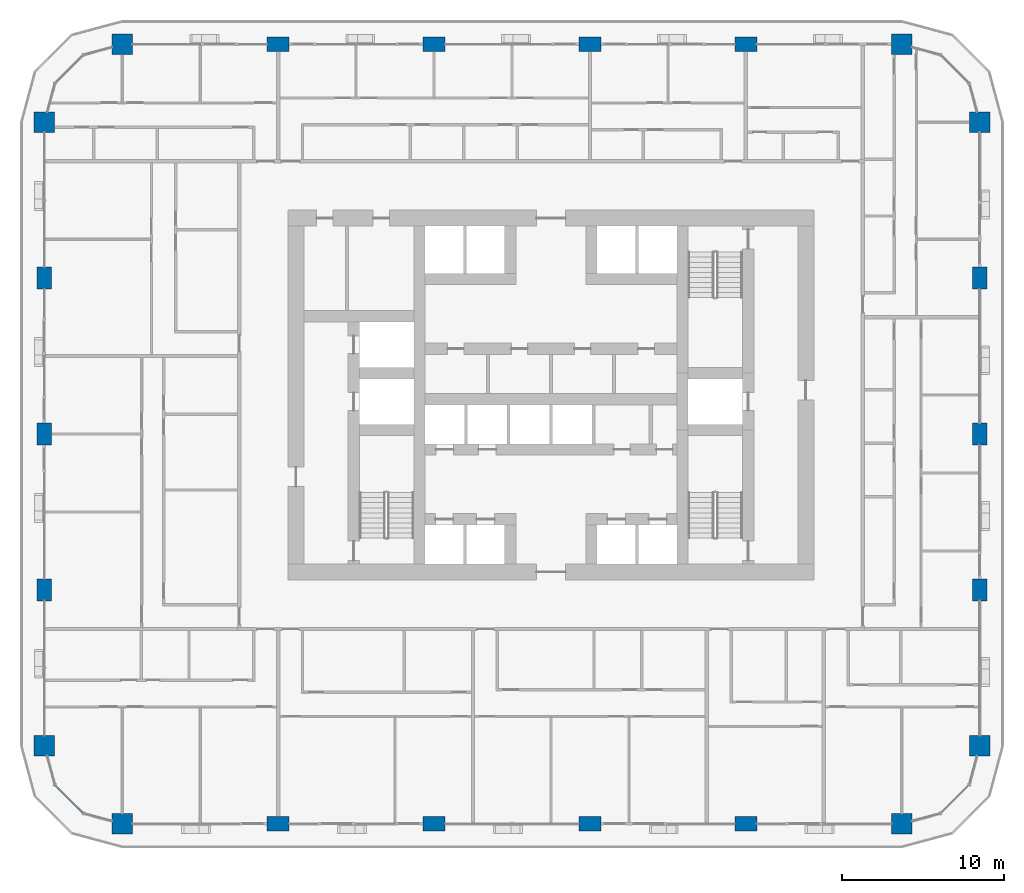
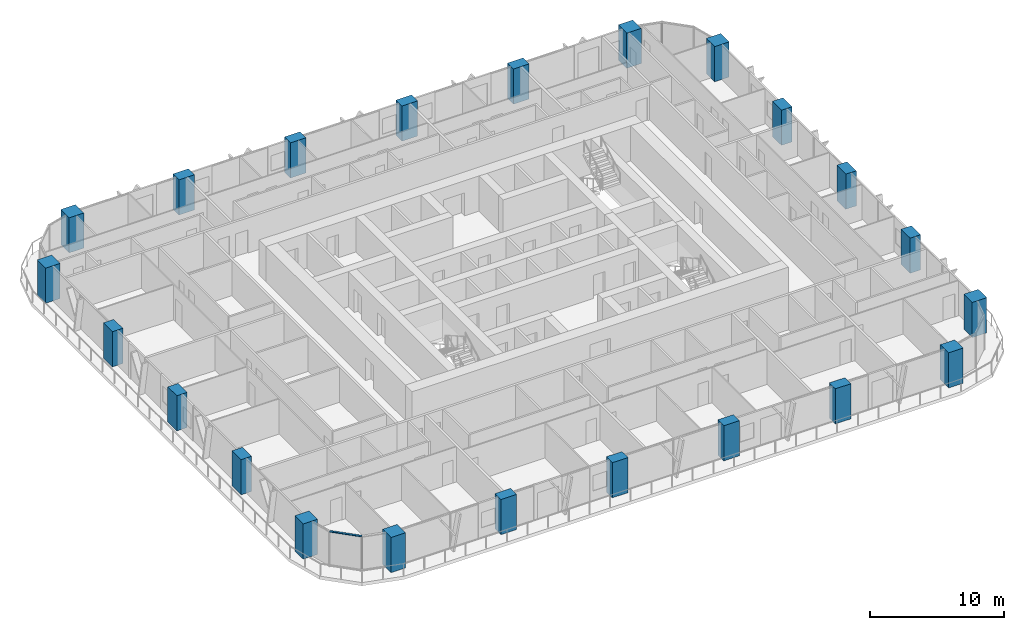
# One storey, part 1 of 21: 22 columns, 1 member, 1 element without a shape of its own.
"""IFC4 building model written with IfcOpenShell, lengths in metres."""

import ifcopenshell
import ifcopenshell.guid

model = None  # the IFC model being written
_history = None  # IfcOwnerHistory: only IFC2X3 demands one
_inside = {}  # id of a spatial element -> (the spatial element, [elements in it])
_under = {}  # id of a project, library or spatial element -> (it, [spatial elements below it])
_declared = {}  # id of a project -> (the project, [libraries it declares])
_typed = {}  # id of a type object -> (the type object, [elements of that type])
_made_of = {}  # id of a material, layer set ... -> (it, [elements and type objects made of it])


def new_model(schema):
    """Start an empty IFC model of exactly this schema.

    Asked for "IFC4X3", IfcOpenShell would pick the latest addendum, in which some entities
    have other attributes; the version numbers below select the first issue.
    IFC2X3 requires an IfcOwnerHistory on every rooted entity: one is made here for all.
    """
    global model, _history
    if schema == "IFC4X3":
        model = ifcopenshell.file(schema_version=(4, 3, 0, 0))
    else:
        model = ifcopenshell.file(schema=schema)
    _inside.clear()
    _under.clear()
    _declared.clear()
    _typed.clear()
    _made_of.clear()
    _history = None
    if model.schema == "IFC2X3":
        org = make("IfcOrganization", Name="unknown")
        user = make(
            "IfcPersonAndOrganization",
            ThePerson=make("IfcPerson", FamilyName="unknown"),
            TheOrganization=org,
        )
        app = make(
            "IfcApplication",
            ApplicationDeveloper=org,
            Version="unknown",
            ApplicationFullName="unknown",
            ApplicationIdentifier="unknown",
        )
        _history = make(
            "IfcOwnerHistory",
            OwningUser=user,
            OwningApplication=app,
            ChangeAction="ADDED",
            CreationDate=0,
        )
    return model


def make(cls, **values):
    """One entity of the class cls with the attributes given. An attribute that is None is left unset."""
    return model.create_entity(
        cls, **{name: value for name, value in values.items() if value is not None}
    )


def rooted(cls, **values):
    """An entity with a GlobalId (a new one), such as an element, a storey or a relation."""
    return make(cls, GlobalId=ifcopenshell.guid.new(), OwnerHistory=_history, **values)


def si_unit(unit_type, name, prefix=None):
    """IfcSIUnit, for example si_unit("LENGTHUNIT", "METRE", prefix="MILLI")."""
    return make("IfcSIUnit", UnitType=unit_type, Prefix=prefix, Name=name)


def assignment(units):
    """IfcUnitAssignment: the units of a project."""
    return None if units is None else make("IfcUnitAssignment", Units=units)


def point(xyz):
    """IfcCartesianPoint."""
    return None if xyz is None else make("IfcCartesianPoint", Coordinates=xyz)


def direction(xyz):
    """IfcDirection."""
    return None if xyz is None else make("IfcDirection", DirectionRatios=xyz)


def frame(location, z_axis=None, x_axis=None):
    """IfcAxis2Placement3D, a coordinate frame: its origin and axes. An axis left out is left unset."""
    return make(
        "IfcAxis2Placement3D",
        Location=point(location),
        Axis=direction(z_axis),
        RefDirection=direction(x_axis),
    )


def frame_2d(location, x_axis=None):
    """IfcAxis2Placement2D, a coordinate frame in the plane: its origin and x axis."""
    return make(
        "IfcAxis2Placement2D", Location=point(location), RefDirection=direction(x_axis)
    )


def origin():
    """The frame at (0, 0, 0) with its axes left unset."""
    return frame((0.0, 0.0, 0.0))


def origin_2d():
    """The frame at (0, 0) in the plane with its x axis left unset."""
    return frame_2d((0.0, 0.0))


def place(relative_to, where):
    """IfcLocalPlacement: puts the frame where relative to a parent placement (None: the world)."""
    return make(
        "IfcLocalPlacement", PlacementRelTo=relative_to, RelativePlacement=where
    )


def context(
    kind, dimensions, precision=None, world=None, true_north=None, identifier=None
):
    """IfcGeometricRepresentationContext, for example the 3D "Model" context."""
    return make(
        "IfcGeometricRepresentationContext",
        ContextIdentifier=identifier,
        ContextType=kind,
        CoordinateSpaceDimension=dimensions,
        Precision=precision,
        WorldCoordinateSystem=world,
        TrueNorth=true_north,
    )


def subcontext(parent, identifier, kind, view, scale=None):
    """IfcGeometricRepresentationSubContext, for example "Body" below "Model"."""
    return make(
        "IfcGeometricRepresentationSubContext",
        ContextIdentifier=identifier,
        ContextType=kind,
        ParentContext=parent,
        TargetScale=scale,
        TargetView=view,
    )


def project(units=None, contexts=None):
    """IfcProject with its units and contexts."""
    return rooted(
        "IfcProject",
        Name="project",
        RepresentationContexts=contexts,
        UnitsInContext=assignment(units),
    )


def spatial(cls, under=None, at=None, **own):
    """A site, building, storey or space (cls), placed at a placement, below another one or the project."""
    s = rooted(cls, ObjectPlacement=at, **own)
    if under is not None:
        _under.setdefault(under.id(), (under, []))[1].append(s)
    return s


def profile(cls, at=None, kind="AREA", **sizes):
    """A parametric profile (cls). Its sizes go by their IFC names, for example OverallWidth=200.0."""
    return make(cls, ProfileType=kind, Position=at, **sizes)


def rectangle(**sizes):
    """IfcRectangleProfileDef."""
    return profile("IfcRectangleProfileDef", **sizes)


def extrude(swept, where, along, depth):
    """IfcExtrudedAreaSolid: the profile swept, set in the frame where, extruded along a direction by depth."""
    return make(
        "IfcExtrudedAreaSolid",
        SweptArea=swept,
        Position=where,
        ExtrudedDirection=direction(along),
        Depth=depth,
    )


def shape(context_of_items, identifier, shape_type, items):
    """IfcShapeRepresentation: the items that make up one representation, for example the "Body"."""
    return make(
        "IfcShapeRepresentation",
        ContextOfItems=context_of_items,
        RepresentationIdentifier=identifier,
        RepresentationType=shape_type,
        Items=items,
    )


def material(Name=None, Category=None):
    """IfcMaterial."""
    return make("IfcMaterial", Name=Name, Category=Category)


def layer(
    of_material, thickness, ventilated=None, Name=None, Category=None, Priority=None
):
    """IfcMaterialLayer: one layer of a wall or slab, of a material (None: an air gap)."""
    return make(
        "IfcMaterialLayer",
        Material=of_material,
        LayerThickness=thickness,
        IsVentilated=ventilated,
        Name=Name,
        Category=Category,
        Priority=Priority,
    )


def layer_set(layers, Name=None):
    """IfcMaterialLayerSet."""
    return make("IfcMaterialLayerSet", MaterialLayers=layers, LayerSetName=Name)


def material_profile(
    of_material, cross_section, Name=None, Category=None, Priority=None
):
    """IfcMaterialProfile: a cross section and its material."""
    return make(
        "IfcMaterialProfile",
        Name=Name,
        Material=of_material,
        Profile=cross_section,
        Priority=Priority,
        Category=Category,
    )


def profile_set(profiles, Name=None, composite=None):
    """IfcMaterialProfileSet."""
    return make(
        "IfcMaterialProfileSet",
        Name=Name,
        MaterialProfiles=profiles,
        CompositeProfile=composite,
    )


def made_of(thing, what):
    """Note that an element or type object is made of a material, layer set ...; save() writes the relation."""
    if what is not None:
        _made_of.setdefault(what.id(), (what, []))[1].append(thing)
    return thing


def type_object(cls, material=None, **own):
    """A type object (cls), such as IfcWallType, which elements share."""
    return made_of(rooted(cls, **own), material)


def element(
    cls,
    number,
    at=None,
    inside=None,
    cuts=None,
    type_object=None,
    material=None,
    context=None,
    identifier="Body",
    shape_type=None,
    held_by="IfcProductDefinitionShape",
    body=None,
    shapes=None,
    **own,
):
    """One element of the class cls, such as IfcWall. Its Tag is "e" and its number.

    at: its placement. inside: the storey or other place that contains it. cuts: it is an
    opening in that element (IfcRelVoidsElement). A single representation is given by context,
    identifier, shape_type and body (its items); several are given by shapes. held_by: the class
    of the entity that holds the representations. save() writes the other relations.
    """
    e = rooted(cls, Tag="e%d" % number, ObjectPlacement=at, **own)
    if body is not None:
        shapes = [shape(context, identifier, shape_type, body)]
    if shapes is not None:
        e.Representation = make(held_by, Representations=shapes)
    if inside is not None:
        _inside.setdefault(inside.id(), (inside, []))[1].append(e)
    if cuts is not None:
        rooted(
            "IfcRelVoidsElement", RelatingBuildingElement=cuts, RelatedOpeningElement=e
        )
    if type_object is not None:
        _typed.setdefault(type_object.id(), (type_object, []))[1].append(e)
    return made_of(e, material)


def aggregate(whole, parts):
    """IfcRelAggregates: a whole, such as a stair, and the parts it consists of."""
    return rooted("IfcRelAggregates", RelatingObject=whole, RelatedObjects=parts)


def save(model, path):
    """Write the relations noted so far, then the file.

    IfcRelAggregates (storeys below a building ...), IfcRelContainedInSpatialStructure (elements
    in a storey), IfcRelDefinesByType, IfcRelAssociatesMaterial and IfcRelDeclares: one each for
    every whole, place, type object, material and project.
    """
    for whole, parts in _under.values():
        aggregate(whole, parts)
    for where, things in _inside.values():
        rooted(
            "IfcRelContainedInSpatialStructure",
            RelatedElements=things,
            RelatingStructure=where,
        )
    for kind, things in _typed.values():
        rooted("IfcRelDefinesByType", RelatedObjects=things, RelatingType=kind)
    for what, things in _made_of.values():
        rooted("IfcRelAssociatesMaterial", RelatedObjects=things, RelatingMaterial=what)
    for by, libraries in _declared.values():
        rooted("IfcRelDeclares", RelatingContext=by, RelatedDefinitions=libraries)
    model.write(path)


model = new_model("IFC4")

# Units and contexts
model_context = context("Model", 3, precision=1e-05, world=origin(), true_north=direction((0.0, 1.0)))
body_context = subcontext(model_context, "Body", "Model", "MODEL_VIEW")
ifc_project = project(units=[si_unit("LENGTHUNIT", "METRE"), si_unit("AREAUNIT", "SQUARE_METRE"), si_unit("VOLUMEUNIT", "CUBIC_METRE"), si_unit("PLANEANGLEUNIT", "RADIAN"), si_unit("MASSUNIT", "GRAM", prefix="KILO")], contexts=[model_context])

# Site, building, storey
site_placement = place(None, origin())
site = spatial("IfcSite", under=ifc_project, at=site_placement, CompositionType="ELEMENT")
building_placement = place(site_placement, origin())
building = spatial("IfcBuilding", under=site, at=building_placement, Name="Madar Terraces", CompositionType="ELEMENT")
storey_placement = place(building_placement, frame((0.0, 0.0, 36.39990234375)))
storey = spatial("IfcBuildingStorey", under=building, at=storey_placement, Name="L08", CompositionType="ELEMENT", Elevation=36.39990234375)

# Columns
ifc_material_1 = material(Name="Concrete C80/95", Category="concrete")
ifc_material_profile_1 = material_profile(ifc_material_1, rectangle(XDim=1.35009765625, YDim=0.89990234375, at=origin_2d()), Name="CC1 RC 1350x900")
ifc_profile_set_1 = profile_set([ifc_material_profile_1], Name="Concrete C80/95")
column_type_1 = type_object("IfcColumnType", Name="CC1 RC 1350x900", PredefinedType="COLUMN", material=ifc_profile_set_1)
for number, where, z_axis, x_axis, name in (
    (1, (14.39990234375, 0.0, 0.0), (0.0, 0.0, 1.0), (1.0, 0.0, 0.0), "Perimeter column S2"),
    (2, (24.0, 0.0, 0.0), (0.0, 0.0, 1.0), (1.0, 0.0, 0.0), "Perimeter column S3"),
    (3, (33.60009765625, 0.0, 0.0), (0.0, 0.0, 1.0), (1.0, 0.0, 0.0), "Perimeter column S4"),
    (4, (43.199951171875, 0.0, 0.0), (0.0, 0.0, 1.0), (1.0, 0.0, 0.0), "Perimeter column S5"),
    (5, (57.60009765625, 14.39990234375, 0.0), (0.0, 0.0, 1.0), (0.0, 1.0, 0.0), "Perimeter column E2"),
    (6, (57.60009765625, 24.0, 0.0), (0.0, 0.0, 1.0), (0.0, 1.0, 0.0), "Perimeter column E3"),
    (7, (57.60009765625, 33.60009765625, 0.0), (0.0, 0.0, 1.0), (0.0, 1.0, 0.0), "Perimeter column E4"),
    (8, (43.199951171875, 48.0, 0.0), (0.0, 0.0, 1.0), (1.0, 0.0, 0.0), "Perimeter column N2"),
    (9, (33.60009765625, 48.0, 0.0), (0.0, 0.0, 1.0), (1.0, 0.0, 0.0), "Perimeter column N3"),
    (10, (24.0, 48.0, 0.0), (0.0, 0.0, 1.0), (1.0, 0.0, 0.0), "Perimeter column N4"),
    (11, (14.39990234375, 48.0, 0.0), (0.0, 0.0, 1.0), (1.0, 0.0, 0.0), "Perimeter column N5"),
    (12, (0.0, 33.60009765625, 0.0), (0.0, 0.0, 1.0), (0.0, 1.0, 0.0), "Perimeter column W2"),
    (13, (0.0, 24.0, 0.0), (0.0, 0.0, 1.0), (0.0, 1.0, 0.0), "Perimeter column W3"),
    (14, (0.0, 14.39990234375, 0.0), (0.0, 0.0, 1.0), (0.0, 1.0, 0.0), "Perimeter column W4"),
):
    element("IfcColumn", number, at=place(storey_placement, frame(where, z_axis=z_axis, x_axis=x_axis)), inside=storey, type_object=column_type_1, Name=name, PredefinedType="COLUMN", context=body_context, shape_type="SweptSolid", body=[
        extrude(rectangle(XDim=1.35009765625, YDim=0.89990234375, at=origin_2d()), origin(), (0.0, 0.0, 1.0), 3.2001953125),
    ])
ifc_material_2 = material(Name="Concrete C80/95", Category="concrete")
ifc_material_profile_2 = material_profile(ifc_material_2, rectangle(XDim=1.25, YDim=1.25, at=origin_2d()), Name="KC1 RC 1250x1250")
ifc_profile_set_2 = profile_set([ifc_material_profile_2], Name="Concrete C80/95")
column_type_2 = type_object("IfcColumnType", Name="KC1 RC 1250x1250", PredefinedType="COLUMN", material=ifc_profile_set_2)
for number, where, z_axis, x_axis, name in (
    (15, (4.800048828125, 0.0, 0.0), (0.0, 0.0, 1.0), (1.0, 0.0, 0.0), "Perimeter column S1"),
    (16, (52.800048828125, 0.0, 0.0), (0.0, 0.0, 1.0), (1.0, 0.0, 0.0), "Perimeter column S6"),
    (17, (57.60009765625, 4.800048828125, 0.0), (0.0, 0.0, 1.0), (1.0, 0.0, 0.0), "Perimeter column E1"),
    (18, (57.60009765625, 43.199951171875, 0.0), (0.0, 0.0, 1.0), (1.0, 0.0, 0.0), "Perimeter column E5"),
    (19, (52.800048828125, 48.0, 0.0), (0.0, 0.0, 1.0), (1.0, 0.0, 0.0), "Perimeter column N1"),
    (20, (4.800048828125, 48.0, 0.0), (0.0, 0.0, 1.0), (1.0, 0.0, 0.0), "Perimeter column N6"),
    (21, (0.0, 43.199951171875, 0.0), (0.0, 0.0, 1.0), (1.0, 0.0, 0.0), "Perimeter column W1"),
    (22, (0.0, 4.800048828125, 0.0), (0.0, 0.0, 1.0), (1.0, 0.0, 0.0), "Perimeter column W5"),
):
    element("IfcColumn", number, at=place(storey_placement, frame(where, z_axis=z_axis, x_axis=x_axis)), inside=storey, type_object=column_type_2, Name=name, PredefinedType="COLUMN", context=body_context, shape_type="SweptSolid", body=[
        extrude(rectangle(XDim=1.25, YDim=1.25, at=origin_2d()), origin(), (0.0, 0.0, 1.0), 3.2001953125),
    ])

# Curtain wall, member
ifc_material_3 = material(Name="Glass, ceramic frit dark grey, with black aluminium frame", Category="aluminium")
ifc_layer = layer(ifc_material_3, 0.199951171875)
ifc_layer_set = layer_set([ifc_layer], Name="Facade curtain wall, fritted glass")
curtain_wall_type = type_object("IfcCurtainWallType", Name="Facade curtain wall, fritted glass", PredefinedType="NOTDEFINED", material=ifc_layer_set)
curtain_wall_placement = place(storey_placement, origin())
curtain_wall = element("IfcCurtainWall", 23, at=curtain_wall_placement, inside=storey, type_object=curtain_wall_type, Name="Outer skin curtain wall south-west corner", PredefinedType="NOTDEFINED")
ifc_material_4 = material(Name="Aluminium, black anodised", Category="aluminium")
ifc_material_profile_3 = material_profile(ifc_material_4, rectangle(XDim=0.1201171875, YDim=0.06005859375, at=origin_2d()), Name="Facade transom 60x120")
ifc_profile_set_3 = profile_set([ifc_material_profile_3], Name="Aluminium, black anodised")
member_type = type_object("IfcMemberType", Name="Facade transom 60x120", PredefinedType="USERDEFINED", material=ifc_profile_set_3)
member_placement = place(storey_placement, frame((0.664306640625, 2.37890625, 3.170166015625), z_axis=(0.707106781187, -0.707106781187, 0.0), x_axis=(0.707106781187, 0.707106781187, 0.0)))
member = element("IfcMember", 24, at=member_placement, type_object=member_type, Name="Transom 2", ObjectType="TRANSOM", PredefinedType="USERDEFINED", context=body_context, shape_type="SweptSolid", body=[
    extrude(rectangle(XDim=0.1201171875, YDim=0.06005859375, at=origin_2d()), origin(), (0.0, 0.0, 1.0), 2.4248046875),
])
aggregate(curtain_wall, [member])

save(model, "model.ifc")
